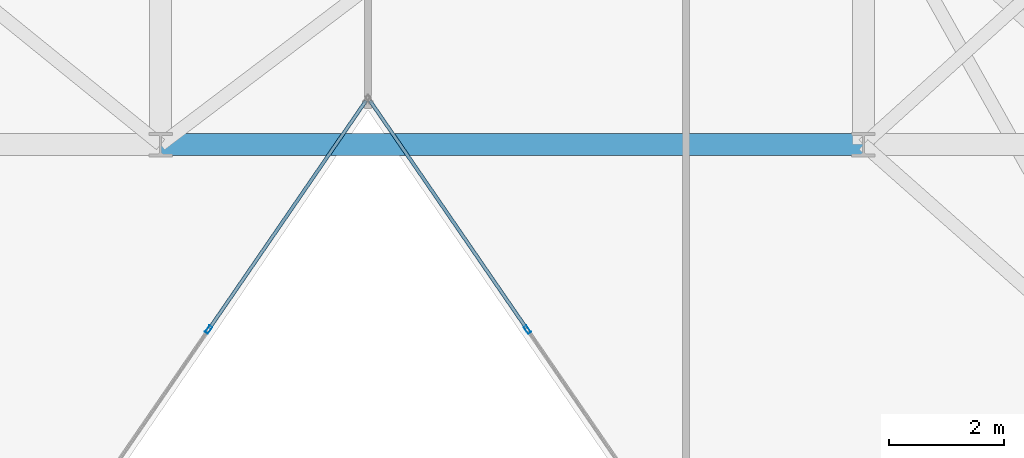
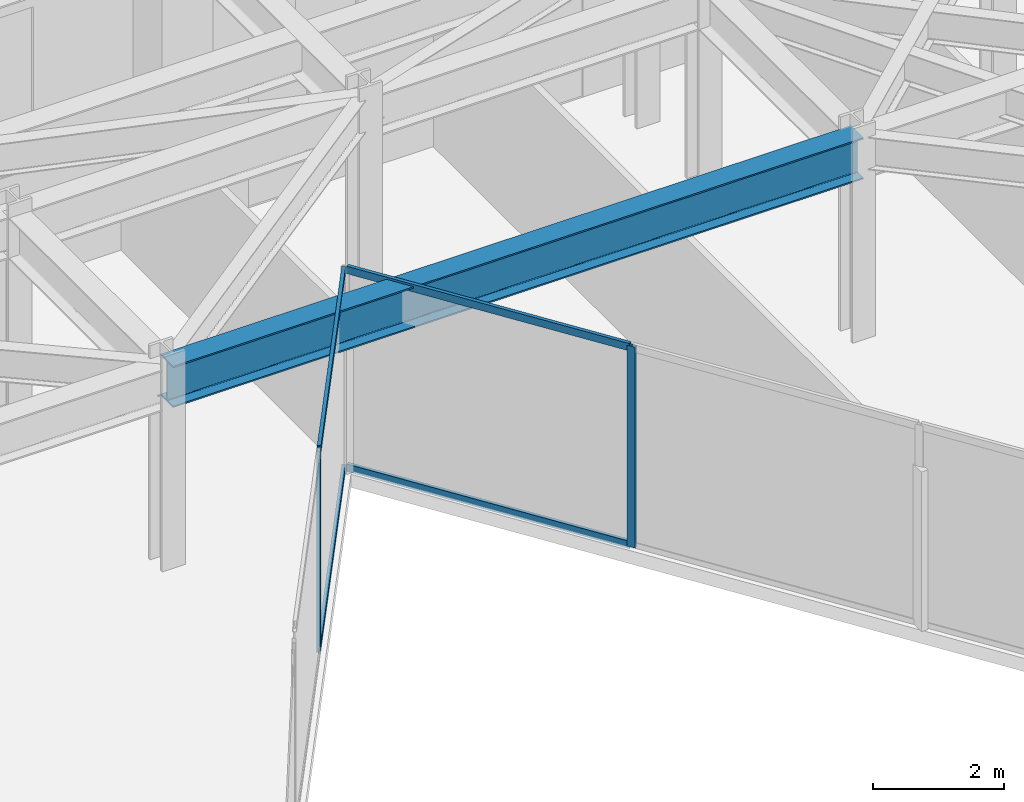
# One storey, part 6 of 21: 6 members, 1 beam, 2 elements without a shape of their own.
"""IFC4 building model written with IfcOpenShell, lengths in metres."""

import ifcopenshell
import ifcopenshell.guid

model = None  # the IFC model being written
_history = None  # IfcOwnerHistory: only IFC2X3 demands one
_inside = {}  # id of a spatial element -> (the spatial element, [elements in it])
_under = {}  # id of a project, library or spatial element -> (it, [spatial elements below it])
_declared = {}  # id of a project -> (the project, [libraries it declares])
_typed = {}  # id of a type object -> (the type object, [elements of that type])
_made_of = {}  # id of a material, layer set ... -> (it, [elements and type objects made of it])


def new_model(schema):
    """Start an empty IFC model of exactly this schema.

    Asked for "IFC4X3", IfcOpenShell would pick the latest addendum, in which some entities
    have other attributes; the version numbers below select the first issue.
    IFC2X3 requires an IfcOwnerHistory on every rooted entity: one is made here for all.
    """
    global model, _history
    if schema == "IFC4X3":
        model = ifcopenshell.file(schema_version=(4, 3, 0, 0))
    else:
        model = ifcopenshell.file(schema=schema)
    _inside.clear()
    _under.clear()
    _declared.clear()
    _typed.clear()
    _made_of.clear()
    _history = None
    if model.schema == "IFC2X3":
        org = make("IfcOrganization", Name="unknown")
        user = make(
            "IfcPersonAndOrganization",
            ThePerson=make("IfcPerson", FamilyName="unknown"),
            TheOrganization=org,
        )
        app = make(
            "IfcApplication",
            ApplicationDeveloper=org,
            Version="unknown",
            ApplicationFullName="unknown",
            ApplicationIdentifier="unknown",
        )
        _history = make(
            "IfcOwnerHistory",
            OwningUser=user,
            OwningApplication=app,
            ChangeAction="ADDED",
            CreationDate=0,
        )
    return model


def make(cls, **values):
    """One entity of the class cls with the attributes given. An attribute that is None is left unset."""
    return model.create_entity(
        cls, **{name: value for name, value in values.items() if value is not None}
    )


def rooted(cls, **values):
    """An entity with a GlobalId (a new one), such as an element, a storey or a relation."""
    return make(cls, GlobalId=ifcopenshell.guid.new(), OwnerHistory=_history, **values)


def si_unit(unit_type, name, prefix=None):
    """IfcSIUnit, for example si_unit("LENGTHUNIT", "METRE", prefix="MILLI")."""
    return make("IfcSIUnit", UnitType=unit_type, Prefix=prefix, Name=name)


def assignment(units):
    """IfcUnitAssignment: the units of a project."""
    return None if units is None else make("IfcUnitAssignment", Units=units)


def point(xyz):
    """IfcCartesianPoint."""
    return None if xyz is None else make("IfcCartesianPoint", Coordinates=xyz)


def direction(xyz):
    """IfcDirection."""
    return None if xyz is None else make("IfcDirection", DirectionRatios=xyz)


def frame(location, z_axis=None, x_axis=None):
    """IfcAxis2Placement3D, a coordinate frame: its origin and axes. An axis left out is left unset."""
    return make(
        "IfcAxis2Placement3D",
        Location=point(location),
        Axis=direction(z_axis),
        RefDirection=direction(x_axis),
    )


def frame_2d(location, x_axis=None):
    """IfcAxis2Placement2D, a coordinate frame in the plane: its origin and x axis."""
    return make(
        "IfcAxis2Placement2D", Location=point(location), RefDirection=direction(x_axis)
    )


def origin():
    """The frame at (0, 0, 0) with its axes left unset."""
    return frame((0.0, 0.0, 0.0))


def origin_2d():
    """The frame at (0, 0) in the plane with its x axis left unset."""
    return frame_2d((0.0, 0.0))


def place(relative_to, where):
    """IfcLocalPlacement: puts the frame where relative to a parent placement (None: the world)."""
    return make(
        "IfcLocalPlacement", PlacementRelTo=relative_to, RelativePlacement=where
    )


def context(
    kind, dimensions, precision=None, world=None, true_north=None, identifier=None
):
    """IfcGeometricRepresentationContext, for example the 3D "Model" context."""
    return make(
        "IfcGeometricRepresentationContext",
        ContextIdentifier=identifier,
        ContextType=kind,
        CoordinateSpaceDimension=dimensions,
        Precision=precision,
        WorldCoordinateSystem=world,
        TrueNorth=true_north,
    )


def subcontext(parent, identifier, kind, view, scale=None):
    """IfcGeometricRepresentationSubContext, for example "Body" below "Model"."""
    return make(
        "IfcGeometricRepresentationSubContext",
        ContextIdentifier=identifier,
        ContextType=kind,
        ParentContext=parent,
        TargetScale=scale,
        TargetView=view,
    )


def project(units=None, contexts=None):
    """IfcProject with its units and contexts."""
    return rooted(
        "IfcProject",
        Name="project",
        RepresentationContexts=contexts,
        UnitsInContext=assignment(units),
    )


def spatial(cls, under=None, at=None, **own):
    """A site, building, storey or space (cls), placed at a placement, below another one or the project."""
    s = rooted(cls, ObjectPlacement=at, **own)
    if under is not None:
        _under.setdefault(under.id(), (under, []))[1].append(s)
    return s


def profile(cls, at=None, kind="AREA", **sizes):
    """A parametric profile (cls). Its sizes go by their IFC names, for example OverallWidth=200.0."""
    return make(cls, ProfileType=kind, Position=at, **sizes)


def hollow_rectangle(**sizes):
    """IfcRectangleHollowProfileDef."""
    return profile("IfcRectangleHollowProfileDef", **sizes)


def i_section(**sizes):
    """IfcIShapeProfileDef."""
    return profile("IfcIShapeProfileDef", **sizes)


def extrude(swept, where, along, depth):
    """IfcExtrudedAreaSolid: the profile swept, set in the frame where, extruded along a direction by depth."""
    return make(
        "IfcExtrudedAreaSolid",
        SweptArea=swept,
        Position=where,
        ExtrudedDirection=direction(along),
        Depth=depth,
    )


def shape(context_of_items, identifier, shape_type, items):
    """IfcShapeRepresentation: the items that make up one representation, for example the "Body"."""
    return make(
        "IfcShapeRepresentation",
        ContextOfItems=context_of_items,
        RepresentationIdentifier=identifier,
        RepresentationType=shape_type,
        Items=items,
    )


def material(Name=None, Category=None):
    """IfcMaterial."""
    return make("IfcMaterial", Name=Name, Category=Category)


def layer(
    of_material, thickness, ventilated=None, Name=None, Category=None, Priority=None
):
    """IfcMaterialLayer: one layer of a wall or slab, of a material (None: an air gap)."""
    return make(
        "IfcMaterialLayer",
        Material=of_material,
        LayerThickness=thickness,
        IsVentilated=ventilated,
        Name=Name,
        Category=Category,
        Priority=Priority,
    )


def layer_set(layers, Name=None):
    """IfcMaterialLayerSet."""
    return make("IfcMaterialLayerSet", MaterialLayers=layers, LayerSetName=Name)


def material_profile(
    of_material, cross_section, Name=None, Category=None, Priority=None
):
    """IfcMaterialProfile: a cross section and its material."""
    return make(
        "IfcMaterialProfile",
        Name=Name,
        Material=of_material,
        Profile=cross_section,
        Priority=Priority,
        Category=Category,
    )


def profile_set(profiles, Name=None, composite=None):
    """IfcMaterialProfileSet."""
    return make(
        "IfcMaterialProfileSet",
        Name=Name,
        MaterialProfiles=profiles,
        CompositeProfile=composite,
    )


def made_of(thing, what):
    """Note that an element or type object is made of a material, layer set ...; save() writes the relation."""
    if what is not None:
        _made_of.setdefault(what.id(), (what, []))[1].append(thing)
    return thing


def type_object(cls, material=None, **own):
    """A type object (cls), such as IfcWallType, which elements share."""
    return made_of(rooted(cls, **own), material)


def element(
    cls,
    number,
    at=None,
    inside=None,
    cuts=None,
    type_object=None,
    material=None,
    context=None,
    identifier="Body",
    shape_type=None,
    held_by="IfcProductDefinitionShape",
    body=None,
    shapes=None,
    **own,
):
    """One element of the class cls, such as IfcWall. Its Tag is "e" and its number.

    at: its placement. inside: the storey or other place that contains it. cuts: it is an
    opening in that element (IfcRelVoidsElement). A single representation is given by context,
    identifier, shape_type and body (its items); several are given by shapes. held_by: the class
    of the entity that holds the representations. save() writes the other relations.
    """
    e = rooted(cls, Tag="e%d" % number, ObjectPlacement=at, **own)
    if body is not None:
        shapes = [shape(context, identifier, shape_type, body)]
    if shapes is not None:
        e.Representation = make(held_by, Representations=shapes)
    if inside is not None:
        _inside.setdefault(inside.id(), (inside, []))[1].append(e)
    if cuts is not None:
        rooted(
            "IfcRelVoidsElement", RelatingBuildingElement=cuts, RelatedOpeningElement=e
        )
    if type_object is not None:
        _typed.setdefault(type_object.id(), (type_object, []))[1].append(e)
    return made_of(e, material)


def aggregate(whole, parts):
    """IfcRelAggregates: a whole, such as a stair, and the parts it consists of."""
    return rooted("IfcRelAggregates", RelatingObject=whole, RelatedObjects=parts)


def save(model, path):
    """Write the relations noted so far, then the file.

    IfcRelAggregates (storeys below a building ...), IfcRelContainedInSpatialStructure (elements
    in a storey), IfcRelDefinesByType, IfcRelAssociatesMaterial and IfcRelDeclares: one each for
    every whole, place, type object, material and project.
    """
    for whole, parts in _under.values():
        aggregate(whole, parts)
    for where, things in _inside.values():
        rooted(
            "IfcRelContainedInSpatialStructure",
            RelatedElements=things,
            RelatingStructure=where,
        )
    for kind, things in _typed.values():
        rooted("IfcRelDefinesByType", RelatedObjects=things, RelatingType=kind)
    for what, things in _made_of.values():
        rooted("IfcRelAssociatesMaterial", RelatedObjects=things, RelatingMaterial=what)
    for by, libraries in _declared.values():
        rooted("IfcRelDeclares", RelatingContext=by, RelatedDefinitions=libraries)
    model.write(path)


model = new_model("IFC4")

# Units and contexts
model_context = context("Model", 3, precision=1e-05, world=origin(), true_north=direction((0.0, 1.0)))
body_context = subcontext(model_context, "Body", "Model", "MODEL_VIEW")
ifc_project = project(units=[si_unit("LENGTHUNIT", "METRE"), si_unit("AREAUNIT", "SQUARE_METRE"), si_unit("VOLUMEUNIT", "CUBIC_METRE"), si_unit("PLANEANGLEUNIT", "RADIAN"), si_unit("MASSUNIT", "GRAM", prefix="KILO")], contexts=[model_context])

# Site, building, storey
site_placement = place(None, origin())
site = spatial("IfcSite", under=ifc_project, at=site_placement, CompositionType="ELEMENT")
building_placement = place(site_placement, origin())
building = spatial("IfcBuilding", under=site, at=building_placement, Name="Kravanh Interchange Tower", CompositionType="ELEMENT")
storey_placement = place(building_placement, frame((0.0, 0.0, 176.5)))
storey = spatial("IfcBuildingStorey", under=building, at=storey_placement, Name="L42", CompositionType="ELEMENT", Elevation=176.5)

# Curtain wall, member
ifc_material_1 = material(Name="Anodised Bronze Aluminium", Category="aluminium")
ifc_layer = layer(ifc_material_1, 0.179931640625)
ifc_layer_set = layer_set([ifc_layer], Name="Unitised Curtain Wall System CW-Z3 Upper Office")
curtain_wall_type = type_object("IfcCurtainWallType", Name="Unitised Curtain Wall System CW-Z3 Upper Office", PredefinedType="NOTDEFINED", material=ifc_layer_set)
curtain_wall_1_placement = place(storey_placement, origin())
curtain_wall_1 = element("IfcCurtainWall", 1, at=curtain_wall_1_placement, inside=storey, type_object=curtain_wall_type, Name="L42 Unitised Curtain Wall CW-L42-03", PredefinedType="NOTDEFINED")
ifc_material_2 = material(Name="Anodised Bronze Aluminium", Category="aluminium")
ifc_material_profile_1 = material_profile(ifc_material_2, hollow_rectangle(XDim=0.06005859375, YDim=0.139892578125, WallThickness=0.00390625, at=origin_2d()), Name="ALU60X140X4")
ifc_profile_set_1 = profile_set([ifc_material_profile_1], Name="Anodised Bronze Aluminium")
member_type_1 = type_object("IfcMemberType", Name="Curtain Wall Mullion ALU60X140X4 Bronze", PredefinedType="MULLION", material=ifc_profile_set_1)
member_1_placement = place(storey_placement, frame((44.9658203125, 23.5888671875, 0.0), z_axis=(0.0, 0.0, 1.0), x_axis=(-0.824042223035, -0.566528388217, 0.0)))
member_1 = element("IfcMember", 2, at=member_1_placement, type_object=member_type_1, Name="CW-Z3 mullion 4", PredefinedType="MULLION", context=body_context, shape_type="SweptSolid", body=[
    extrude(hollow_rectangle(XDim=0.06005859375, YDim=0.139892578125, WallThickness=0.00390625, at=origin_2d()), origin(), (0.0, 0.0, 1.0), 3.7548828125),
])

curtain_wall_2_placement = place(storey_placement, origin())
curtain_wall_2 = element("IfcCurtainWall", 3, at=curtain_wall_2_placement, inside=storey, type_object=curtain_wall_type, Name="L42 Unitised Curtain Wall CW-L42-04", PredefinedType="NOTDEFINED")
member_2_placement = place(storey_placement, frame((39.434326171875, 23.5888671875, 0.0), z_axis=(0.0, 0.0, 1.0), x_axis=(0.824042223035, -0.566528388217, 0.0)))
member_2 = element("IfcMember", 4, at=member_2_placement, type_object=member_type_1, Name="CW-Z3 mullion 2", PredefinedType="MULLION", context=body_context, shape_type="SweptSolid", body=[
    extrude(hollow_rectangle(XDim=0.06005859375, YDim=0.139892578125, WallThickness=0.00390625, at=origin_2d()), origin(), (0.0, 0.0, 1.0), 3.7548828125),
])

# Member
ifc_material_3 = material(Name="Anodised Bronze Aluminium", Category="aluminium")
ifc_material_profile_2 = material_profile(ifc_material_3, hollow_rectangle(XDim=0.06005859375, YDim=0.139892578125, WallThickness=0.00390625, at=origin_2d()), Name="ALU60X140X4")
ifc_profile_set_2 = profile_set([ifc_material_profile_2], Name="Anodised Bronze Aluminium")
member_type_2 = type_object("IfcMemberType", Name="Curtain Wall Transom ALU60X140X4 Bronze", PredefinedType="USERDEFINED", material=ifc_profile_set_2)
member_3_placement = place(storey_placement, frame((44.94873046875, 23.613525390625, 0.030029296875), z_axis=(-0.566541796314, 0.824033004818, 0.0), x_axis=(-0.824033004818, -0.566541796314, 0.0)))
member_3 = element("IfcMember", 5, at=member_3_placement, type_object=member_type_2, Name="CW-Z3 transom 4.1", ObjectType="TRANSOM", PredefinedType="USERDEFINED", context=body_context, shape_type="SweptSolid", body=[
    extrude(hollow_rectangle(XDim=0.06005859375, YDim=0.139892578125, WallThickness=0.00390625, at=origin_2d()), origin(), (0.0, 0.0, 1.0), 4.7919921875),
])

member_4_placement = place(storey_placement, frame((44.94873046875, 23.613525390625, 3.72509765625), z_axis=(-0.566541796314, 0.824033004818, 0.0), x_axis=(-0.824033004818, -0.566541796314, 0.0)))
member_4 = element("IfcMember", 6, at=member_4_placement, type_object=member_type_2, Name="CW-Z3 transom 4.2", ObjectType="TRANSOM", PredefinedType="USERDEFINED", context=body_context, shape_type="SweptSolid", body=[
    extrude(hollow_rectangle(XDim=0.06005859375, YDim=0.139892578125, WallThickness=0.00390625, at=origin_2d()), origin(), (0.0, 0.0, 1.0), 4.7919921875),
])

aggregate(curtain_wall_1, [member_1, member_3, member_4])

member_5_placement = place(storey_placement, frame((42.166015625, 27.562255859375, 0.030029296875), z_axis=(-0.566541796314, -0.824033004818, 0.0), x_axis=(0.824033004818, -0.566541796314, 0.0)))
member_5 = element("IfcMember", 7, at=member_5_placement, type_object=member_type_2, Name="CW-Z3 transom 1.1", ObjectType="TRANSOM", PredefinedType="USERDEFINED", context=body_context, shape_type="SweptSolid", body=[
    extrude(hollow_rectangle(XDim=0.06005859375, YDim=0.139892578125, WallThickness=0.00390625, at=origin_2d()), origin(), (0.0, 0.0, 1.0), 4.7919921875),
])

member_6_placement = place(storey_placement, frame((42.166015625, 27.562255859375, 3.72509765625), z_axis=(-0.566541796314, -0.824033004818, 0.0), x_axis=(0.824033004818, -0.566541796314, 0.0)))
member_6 = element("IfcMember", 8, at=member_6_placement, type_object=member_type_2, Name="CW-Z3 transom 1.2", ObjectType="TRANSOM", PredefinedType="USERDEFINED", context=body_context, shape_type="SweptSolid", body=[
    extrude(hollow_rectangle(XDim=0.06005859375, YDim=0.139892578125, WallThickness=0.00390625, at=origin_2d()), origin(), (0.0, 0.0, 1.0), 4.7919921875),
])

aggregate(curtain_wall_2, [member_2, member_5, member_6])

# Beam
ifc_material_4 = material(Name="Structural Steel S355", Category="steel")
ifc_material_profile_3 = material_profile(ifc_material_4, i_section(OverallWidth=0.381103515625, OverallDepth=0.77294921875, WebThickness=0.0166015625, FlangeThickness=0.027099609375, FilletRadius=0.02490234375, at=origin_2d()), Name="W30X173")
ifc_profile_set_3 = profile_set([ifc_material_profile_3], Name="Structural Steel S355")
beam_type = type_object("IfcBeamType", Name="Floor Beam W30X173 Structural Steel S355", PredefinedType="BEAM", material=ifc_profile_set_3)
beam_placement = place(storey_placement, frame((38.60009765625, 26.800048828125, 3.368408203125), z_axis=(1.0, 0.0, 0.0), x_axis=(0.0, 1.0, 0.0)))
element("IfcBeam", 9, at=beam_placement, inside=storey, type_object=beam_type, Name="L42 Primary Floor Girder 48", PredefinedType="BEAM", context=body_context, shape_type="SweptSolid", body=[
    extrude(i_section(OverallWidth=0.381103515625, OverallDepth=0.77294921875, WebThickness=0.0166015625, FlangeThickness=0.027099609375, FilletRadius=0.02490234375, at=origin_2d()), origin(), (0.0, 0.0, 1.0), 12.199951171875),
])

save(model, "model.ifc")
